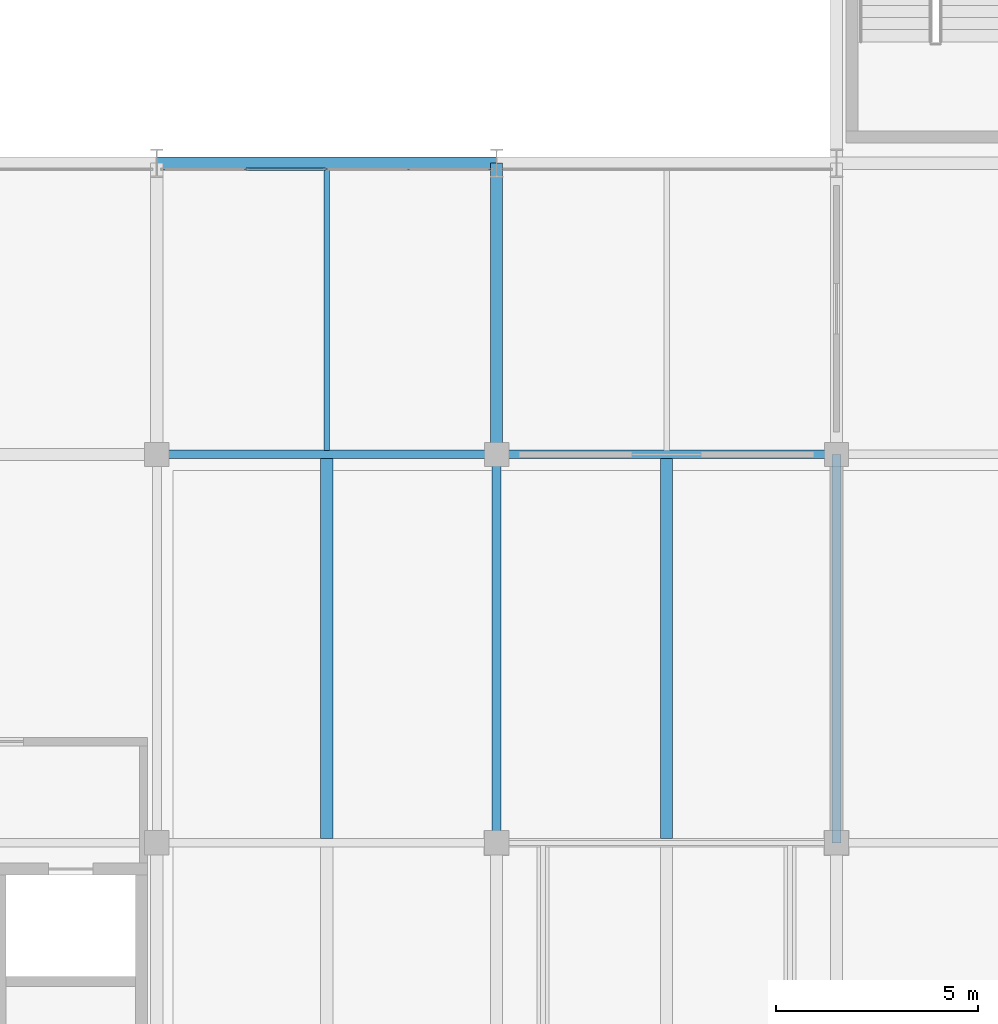
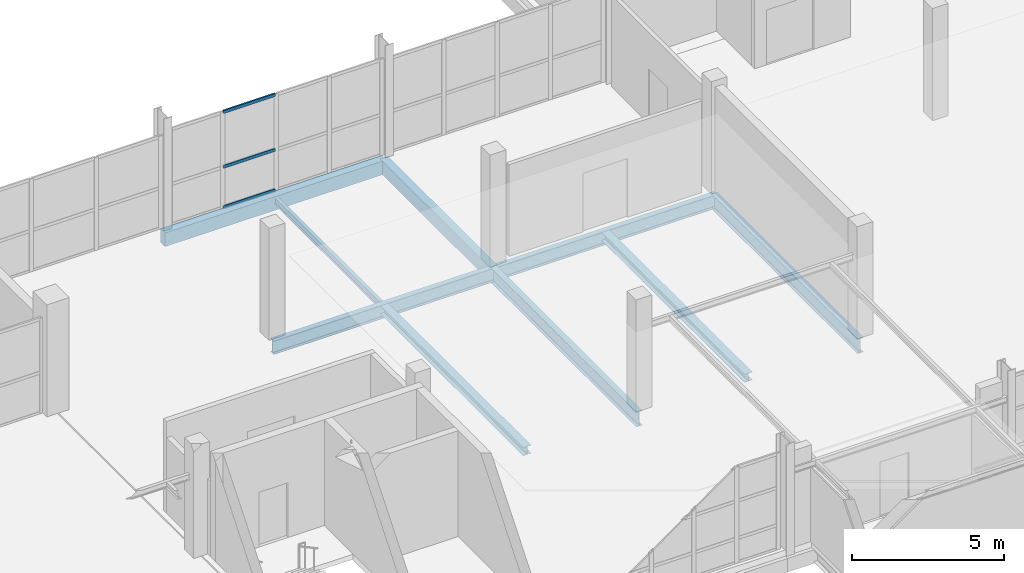
# One storey, part 40 of 113: 9 beams, 3 members, 1 element without a shape of its own.
"""IFC4 building model written with IfcOpenShell, lengths in metres."""

import ifcopenshell
import ifcopenshell.guid

model = None  # the IFC model being written
_history = None  # IfcOwnerHistory: only IFC2X3 demands one
_inside = {}  # id of a spatial element -> (the spatial element, [elements in it])
_under = {}  # id of a project, library or spatial element -> (it, [spatial elements below it])
_declared = {}  # id of a project -> (the project, [libraries it declares])
_typed = {}  # id of a type object -> (the type object, [elements of that type])
_made_of = {}  # id of a material, layer set ... -> (it, [elements and type objects made of it])


def new_model(schema):
    """Start an empty IFC model of exactly this schema.

    Asked for "IFC4X3", IfcOpenShell would pick the latest addendum, in which some entities
    have other attributes; the version numbers below select the first issue.
    IFC2X3 requires an IfcOwnerHistory on every rooted entity: one is made here for all.
    """
    global model, _history
    if schema == "IFC4X3":
        model = ifcopenshell.file(schema_version=(4, 3, 0, 0))
    else:
        model = ifcopenshell.file(schema=schema)
    _inside.clear()
    _under.clear()
    _declared.clear()
    _typed.clear()
    _made_of.clear()
    _history = None
    if model.schema == "IFC2X3":
        org = make("IfcOrganization", Name="unknown")
        user = make(
            "IfcPersonAndOrganization",
            ThePerson=make("IfcPerson", FamilyName="unknown"),
            TheOrganization=org,
        )
        app = make(
            "IfcApplication",
            ApplicationDeveloper=org,
            Version="unknown",
            ApplicationFullName="unknown",
            ApplicationIdentifier="unknown",
        )
        _history = make(
            "IfcOwnerHistory",
            OwningUser=user,
            OwningApplication=app,
            ChangeAction="ADDED",
            CreationDate=0,
        )
    return model


def make(cls, **values):
    """One entity of the class cls with the attributes given. An attribute that is None is left unset."""
    return model.create_entity(
        cls, **{name: value for name, value in values.items() if value is not None}
    )


def rooted(cls, **values):
    """An entity with a GlobalId (a new one), such as an element, a storey or a relation."""
    return make(cls, GlobalId=ifcopenshell.guid.new(), OwnerHistory=_history, **values)


def si_unit(unit_type, name, prefix=None):
    """IfcSIUnit, for example si_unit("LENGTHUNIT", "METRE", prefix="MILLI")."""
    return make("IfcSIUnit", UnitType=unit_type, Prefix=prefix, Name=name)


def assignment(units):
    """IfcUnitAssignment: the units of a project."""
    return None if units is None else make("IfcUnitAssignment", Units=units)


def point(xyz):
    """IfcCartesianPoint."""
    return None if xyz is None else make("IfcCartesianPoint", Coordinates=xyz)


def direction(xyz):
    """IfcDirection."""
    return None if xyz is None else make("IfcDirection", DirectionRatios=xyz)


def frame(location, z_axis=None, x_axis=None):
    """IfcAxis2Placement3D, a coordinate frame: its origin and axes. An axis left out is left unset."""
    return make(
        "IfcAxis2Placement3D",
        Location=point(location),
        Axis=direction(z_axis),
        RefDirection=direction(x_axis),
    )


def frame_2d(location, x_axis=None):
    """IfcAxis2Placement2D, a coordinate frame in the plane: its origin and x axis."""
    return make(
        "IfcAxis2Placement2D", Location=point(location), RefDirection=direction(x_axis)
    )


def origin():
    """The frame at (0, 0, 0) with its axes left unset."""
    return frame((0.0, 0.0, 0.0))


def origin_2d():
    """The frame at (0, 0) in the plane with its x axis left unset."""
    return frame_2d((0.0, 0.0))


def place(relative_to, where):
    """IfcLocalPlacement: puts the frame where relative to a parent placement (None: the world)."""
    return make(
        "IfcLocalPlacement", PlacementRelTo=relative_to, RelativePlacement=where
    )


def context(
    kind, dimensions, precision=None, world=None, true_north=None, identifier=None
):
    """IfcGeometricRepresentationContext, for example the 3D "Model" context."""
    return make(
        "IfcGeometricRepresentationContext",
        ContextIdentifier=identifier,
        ContextType=kind,
        CoordinateSpaceDimension=dimensions,
        Precision=precision,
        WorldCoordinateSystem=world,
        TrueNorth=true_north,
    )


def subcontext(parent, identifier, kind, view, scale=None):
    """IfcGeometricRepresentationSubContext, for example "Body" below "Model"."""
    return make(
        "IfcGeometricRepresentationSubContext",
        ContextIdentifier=identifier,
        ContextType=kind,
        ParentContext=parent,
        TargetScale=scale,
        TargetView=view,
    )


def project(units=None, contexts=None):
    """IfcProject with its units and contexts."""
    return rooted(
        "IfcProject",
        Name="project",
        RepresentationContexts=contexts,
        UnitsInContext=assignment(units),
    )


def spatial(cls, under=None, at=None, **own):
    """A site, building, storey or space (cls), placed at a placement, below another one or the project."""
    s = rooted(cls, ObjectPlacement=at, **own)
    if under is not None:
        _under.setdefault(under.id(), (under, []))[1].append(s)
    return s


def profile(cls, at=None, kind="AREA", **sizes):
    """A parametric profile (cls). Its sizes go by their IFC names, for example OverallWidth=200.0."""
    return make(cls, ProfileType=kind, Position=at, **sizes)


def rectangle(**sizes):
    """IfcRectangleProfileDef."""
    return profile("IfcRectangleProfileDef", **sizes)


def hollow_rectangle(**sizes):
    """IfcRectangleHollowProfileDef."""
    return profile("IfcRectangleHollowProfileDef", **sizes)


def i_section(**sizes):
    """IfcIShapeProfileDef."""
    return profile("IfcIShapeProfileDef", **sizes)


def extrude(swept, where, along, depth):
    """IfcExtrudedAreaSolid: the profile swept, set in the frame where, extruded along a direction by depth."""
    return make(
        "IfcExtrudedAreaSolid",
        SweptArea=swept,
        Position=where,
        ExtrudedDirection=direction(along),
        Depth=depth,
    )


def shape(context_of_items, identifier, shape_type, items):
    """IfcShapeRepresentation: the items that make up one representation, for example the "Body"."""
    return make(
        "IfcShapeRepresentation",
        ContextOfItems=context_of_items,
        RepresentationIdentifier=identifier,
        RepresentationType=shape_type,
        Items=items,
    )


def material(Name=None, Category=None):
    """IfcMaterial."""
    return make("IfcMaterial", Name=Name, Category=Category)


def material_profile(
    of_material, cross_section, Name=None, Category=None, Priority=None
):
    """IfcMaterialProfile: a cross section and its material."""
    return make(
        "IfcMaterialProfile",
        Name=Name,
        Material=of_material,
        Profile=cross_section,
        Priority=Priority,
        Category=Category,
    )


def profile_set(profiles, Name=None, composite=None):
    """IfcMaterialProfileSet."""
    return make(
        "IfcMaterialProfileSet",
        Name=Name,
        MaterialProfiles=profiles,
        CompositeProfile=composite,
    )


def made_of(thing, what):
    """Note that an element or type object is made of a material, layer set ...; save() writes the relation."""
    if what is not None:
        _made_of.setdefault(what.id(), (what, []))[1].append(thing)
    return thing


def type_object(cls, material=None, **own):
    """A type object (cls), such as IfcWallType, which elements share."""
    return made_of(rooted(cls, **own), material)


def element(
    cls,
    number,
    at=None,
    inside=None,
    cuts=None,
    type_object=None,
    material=None,
    context=None,
    identifier="Body",
    shape_type=None,
    held_by="IfcProductDefinitionShape",
    body=None,
    shapes=None,
    **own,
):
    """One element of the class cls, such as IfcWall. Its Tag is "e" and its number.

    at: its placement. inside: the storey or other place that contains it. cuts: it is an
    opening in that element (IfcRelVoidsElement). A single representation is given by context,
    identifier, shape_type and body (its items); several are given by shapes. held_by: the class
    of the entity that holds the representations. save() writes the other relations.
    """
    e = rooted(cls, Tag="e%d" % number, ObjectPlacement=at, **own)
    if body is not None:
        shapes = [shape(context, identifier, shape_type, body)]
    if shapes is not None:
        e.Representation = make(held_by, Representations=shapes)
    if inside is not None:
        _inside.setdefault(inside.id(), (inside, []))[1].append(e)
    if cuts is not None:
        rooted(
            "IfcRelVoidsElement", RelatingBuildingElement=cuts, RelatedOpeningElement=e
        )
    if type_object is not None:
        _typed.setdefault(type_object.id(), (type_object, []))[1].append(e)
    return made_of(e, material)


def aggregate(whole, parts):
    """IfcRelAggregates: a whole, such as a stair, and the parts it consists of."""
    return rooted("IfcRelAggregates", RelatingObject=whole, RelatedObjects=parts)


def save(model, path):
    """Write the relations noted so far, then the file.

    IfcRelAggregates (storeys below a building ...), IfcRelContainedInSpatialStructure (elements
    in a storey), IfcRelDefinesByType, IfcRelAssociatesMaterial and IfcRelDeclares: one each for
    every whole, place, type object, material and project.
    """
    for whole, parts in _under.values():
        aggregate(whole, parts)
    for where, things in _inside.values():
        rooted(
            "IfcRelContainedInSpatialStructure",
            RelatedElements=things,
            RelatingStructure=where,
        )
    for kind, things in _typed.values():
        rooted("IfcRelDefinesByType", RelatedObjects=things, RelatingType=kind)
    for what, things in _made_of.values():
        rooted("IfcRelAssociatesMaterial", RelatedObjects=things, RelatingMaterial=what)
    for by, libraries in _declared.values():
        rooted("IfcRelDeclares", RelatingContext=by, RelatedDefinitions=libraries)
    model.write(path)


model = new_model("IFC4")

# Units and contexts
model_context = context("Model", 3, precision=1e-05, world=origin(), true_north=direction((0.0, 1.0)))
body_context = subcontext(model_context, "Body", "Model", "MODEL_VIEW")
ifc_project = project(units=[si_unit("LENGTHUNIT", "METRE"), si_unit("AREAUNIT", "SQUARE_METRE"), si_unit("VOLUMEUNIT", "CUBIC_METRE"), si_unit("PLANEANGLEUNIT", "RADIAN"), si_unit("MASSUNIT", "GRAM", prefix="KILO")], contexts=[model_context])

# Site, building, storey
site_placement = place(None, origin())
site = spatial("IfcSite", under=ifc_project, at=site_placement, CompositionType="ELEMENT")
building_placement = place(site_placement, origin())
building = spatial("IfcBuilding", under=site, at=building_placement, Name="Veltarok Museum of Natural Sciences", CompositionType="ELEMENT")
storey_placement = place(building_placement, frame((0.0, 0.0, 8.39990234375)))
storey = spatial("IfcBuildingStorey", under=building, at=storey_placement, Name="L01", CompositionType="ELEMENT", Elevation=8.39990234375)

# Beams
ifc_material_1 = material(Name="Steel S355J2", Category="steel")
ifc_material_profile_1 = material_profile(ifc_material_1, i_section(OverallWidth=0.2099609375, OverallDepth=0.550048828125, WebThickness=0.010986328125, FlangeThickness=0.01708984375, FilletRadius=0.02392578125, at=origin_2d()), Name="IPE 550")
ifc_profile_set_1 = profile_set([ifc_material_profile_1], Name="Steel S355J2")
beam_type_1 = type_object("IfcBeamType", Name="Archive Heavy Girder IPE 550", PredefinedType="BEAM", material=ifc_profile_set_1)
for number, where, z_axis, x_axis, name in (
    (1, (115.60009765625, 19.199951171875, -0.52490234375), (1.0, 0.0, 0.0), (0.0, 1.0, 0.0), "Beam BM-G03 L01 14-15/C"),
    (2, (124.0, 19.199951171875, -0.52490234375), (1.0, 0.0, 0.0), (0.0, 1.0, 0.0), "Beam BM-G03 L01 15-16/C"),
):
    element("IfcBeam", number, at=place(storey_placement, frame(where, z_axis=z_axis, x_axis=x_axis)), inside=storey, type_object=beam_type_1, Name=name, PredefinedType="BEAM", context=body_context, shape_type="SweptSolid", body=[
        extrude(i_section(OverallWidth=0.2099609375, OverallDepth=0.550048828125, WebThickness=0.010986328125, FlangeThickness=0.01708984375, FilletRadius=0.02392578125, at=origin_2d()), origin(), (0.0, 0.0, 1.0), 8.39990234375),
    ])

# Curtain wall, members
ifc_material_2 = material(Name="Low-iron triple insulated glass", Category="glass")
curtain_wall_type = type_object("IfcCurtainWallType", Name="Curtain Wall System CW-V5CN-L01-0-810x388 (CW-V5CN L01 810x388cm)", PredefinedType="NOTDEFINED", material=ifc_material_2)
curtain_wall_placement = place(storey_placement, origin())
curtain_wall = element("IfcCurtainWall", 3, at=curtain_wall_placement, inside=storey, type_object=curtain_wall_type, Name="Curtain Wall CW-V5CN-L01-0-810x388 CW-0188", PredefinedType="NOTDEFINED")
ifc_material_3 = material(Name="Thermally broken anodised aluminium", Category="aluminium")
ifc_material_profile_2 = material_profile(ifc_material_3, hollow_rectangle(XDim=0.06005859375, YDim=0.1201171875, WallThickness=0.0048828125, at=origin_2d()), Name="CW TRANSOM 60x120x5")
ifc_profile_set_2 = profile_set([ifc_material_profile_2], Name="Thermally broken anodised aluminium")
member_type = type_object("IfcMemberType", Name="Curtain Wall Horizontal Transom 60x120x5", PredefinedType="USERDEFINED", material=ifc_profile_set_2)
member_1_placement = place(storey_placement, frame((119.77001953125, 26.25, 0.028076171875), z_axis=(-1.0, 0.0, 0.0), x_axis=(0.0, -1.0, 0.0)))
member_1 = element("IfcMember", 4, at=member_1_placement, type_object=member_type, Name="CW-V5CN-L01-0-810x388 transom 3.1", ObjectType="TRANSOM", PredefinedType="USERDEFINED", context=body_context, shape_type="SweptSolid", body=[
    extrude(hollow_rectangle(XDim=0.06005859375, YDim=0.1201171875, WallThickness=0.0048828125, at=origin_2d()), origin(), (0.0, 0.0, 1.0), 1.965087890625),
])
member_2_placement = place(storey_placement, frame((119.77001953125, 26.25, 1.648193359375), z_axis=(-1.0, 0.0, 0.0), x_axis=(0.0, -1.0, 0.0)))
member_2 = element("IfcMember", 5, at=member_2_placement, type_object=member_type, Name="CW-V5CN-L01-0-810x388 transom 3.2", ObjectType="TRANSOM", PredefinedType="USERDEFINED", context=body_context, shape_type="SweptSolid", body=[
    extrude(hollow_rectangle(XDim=0.06005859375, YDim=0.1201171875, WallThickness=0.0048828125, at=origin_2d()), origin(), (0.0, 0.0, 1.0), 1.965087890625),
])
member_3_placement = place(storey_placement, frame((119.77001953125, 26.25, 3.85009765625), z_axis=(-1.0, 0.0, 0.0), x_axis=(0.0, -1.0, 0.0)))
member_3 = element("IfcMember", 6, at=member_3_placement, type_object=member_type, Name="CW-V5CN-L01-0-810x388 transom 3.3", ObjectType="TRANSOM", PredefinedType="USERDEFINED", context=body_context, shape_type="SweptSolid", body=[
    extrude(hollow_rectangle(XDim=0.06005859375, YDim=0.1201171875, WallThickness=0.0048828125, at=origin_2d()), origin(), (0.0, 0.0, 1.0), 1.965087890625),
])
aggregate(curtain_wall, [member_1, member_2, member_3])

# Beams
ifc_material_4 = material(Name="Precast concrete C40/50", Category="concrete")
ifc_material_profile_3 = material_profile(ifc_material_4, rectangle(XDim=0.300048828125, YDim=0.550048828125, at=origin_2d()), Name="RC 300x550")
ifc_profile_set_3 = profile_set([ifc_material_profile_3], Name="Precast concrete C40/50")
beam_type_2 = type_object("IfcBeamType", Name="East Wing Precast Spandrel RC 300x550", PredefinedType="SPANDREL", material=ifc_profile_set_3)
beam_1_placement = place(storey_placement, frame((115.60009765625, 26.39990234375, -0.52490234375), z_axis=(1.0, 0.0, 0.0), x_axis=(0.0, 1.0, 0.0)))
element("IfcBeam", 7, at=beam_1_placement, inside=storey, type_object=beam_type_2, Name="Beam BM-SP02 L01 14-15/D", PredefinedType="SPANDREL", context=body_context, shape_type="SweptSolid", body=[
    extrude(rectangle(XDim=0.300048828125, YDim=0.550048828125, at=origin_2d()), origin(), (0.0, 0.0, 1.0), 8.39990234375),
])
beam_2_placement = place(storey_placement, frame((124.0, 19.199951171875, -0.52490234375), z_axis=(0.0, 1.0, 0.0), x_axis=(-1.0, 0.0, 0.0)))
element("IfcBeam", 8, at=beam_2_placement, inside=storey, type_object=beam_type_2, Name="Beam BM-SP02 L01 15/C-D", PredefinedType="SPANDREL", context=body_context, shape_type="SweptSolid", body=[
    extrude(rectangle(XDim=0.300048828125, YDim=0.550048828125, at=origin_2d()), origin(), (0.0, 0.0, 1.0), 7.199951171875),
])
ifc_material_profile_4 = material_profile(ifc_material_1, i_section(OverallWidth=0.300048828125, OverallDepth=0.330078125, WebThickness=0.009521484375, FlangeThickness=0.0166015625, FilletRadius=0.027099609375, at=origin_2d()), Name="HEA 340")
ifc_profile_set_4 = profile_set([ifc_material_profile_4], Name="Steel S355J2")
beam_type_3 = type_object("IfcBeamType", Name="Exhibition Floor Joist HEA 340", PredefinedType="JOIST", material=ifc_profile_set_4)
for number, where, z_axis, x_axis, name in (
    (9, (119.800048828125, 9.702880859375, -0.414794921875), (0.0, 1.0, 0.0), (-1.0, 0.0, 0.0), "Secondary Joist BM-J08 L01 14-15/B-C.1"),
    (10, (128.199951171875, 9.702880859375, -0.414794921875), (0.0, 1.0, 0.0), (-1.0, 0.0, 0.0), "Secondary Joist BM-J08 L01 15-16/B-C.1"),
):
    element("IfcBeam", number, at=place(storey_placement, frame(where, z_axis=z_axis, x_axis=x_axis)), inside=storey, type_object=beam_type_3, Name=name, PredefinedType="JOIST", context=body_context, shape_type="SweptSolid", body=[
        extrude(i_section(OverallWidth=0.300048828125, OverallDepth=0.330078125, WebThickness=0.009521484375, FlangeThickness=0.0166015625, FilletRadius=0.027099609375, at=origin_2d()), origin(), (0.0, 0.0, 1.0), 9.39404296875),
    ])
ifc_material_profile_5 = material_profile(ifc_material_1, i_section(OverallWidth=0.219970703125, OverallDepth=0.60009765625, WebThickness=0.011962890625, FlangeThickness=0.01904296875, FilletRadius=0.02392578125, at=origin_2d()), Name="IPE 600")
ifc_profile_set_5 = profile_set([ifc_material_profile_5], Name="Steel S355J2")
beam_type_4 = type_object("IfcBeamType", Name="Primary Museum Girder IPE 600", PredefinedType="BEAM", material=ifc_profile_set_5)
for number, where, z_axis, x_axis, name in (
    (11, (124.0, 9.60009765625, -0.5498046875), (0.0, 1.0, 0.0), (-1.0, 0.0, 0.0), "Beam BM-G02 L01 15/B-C"),
    (12, (132.39990234375, 9.60009765625, -0.5498046875), (0.0, 1.0, 0.0), (-1.0, 0.0, 0.0), "Beam BM-G02 L01 16/B-C"),
):
    element("IfcBeam", number, at=place(storey_placement, frame(where, z_axis=z_axis, x_axis=x_axis)), inside=storey, type_object=beam_type_4, Name=name, PredefinedType="BEAM", context=body_context, shape_type="SweptSolid", body=[
        extrude(i_section(OverallWidth=0.219970703125, OverallDepth=0.60009765625, WebThickness=0.011962890625, FlangeThickness=0.01904296875, FilletRadius=0.02392578125, at=origin_2d()), origin(), (0.0, 0.0, 1.0), 9.599853515625),
    ])
ifc_material_profile_6 = material_profile(ifc_material_1, i_section(OverallWidth=0.135009765625, OverallDepth=0.27001953125, WebThickness=0.006591796875, FlangeThickness=0.01025390625, FilletRadius=0.014892578125, at=origin_2d()), Name="IPE 270")
ifc_profile_set_6 = profile_set([ifc_material_profile_6], Name="Steel S355J2")
beam_type_5 = type_object("IfcBeamType", Name="Short-Bay Composite Joist IPE 270", PredefinedType="JOIST", material=ifc_profile_set_6)
beam_3_placement = place(storey_placement, frame((119.800048828125, 19.302978515625, -0.385009765625), z_axis=(0.0, 1.0, 0.0), x_axis=(-1.0, 0.0, 0.0)))
element("IfcBeam", 13, at=beam_3_placement, inside=storey, type_object=beam_type_5, Name="Secondary Joist BM-J04 L01 14-15/C-D.1", PredefinedType="JOIST", context=body_context, shape_type="SweptSolid", body=[
    extrude(i_section(OverallWidth=0.135009765625, OverallDepth=0.27001953125, WebThickness=0.006591796875, FlangeThickness=0.01025390625, FilletRadius=0.014892578125, at=origin_2d()), origin(), (0.0, 0.0, 1.0), 6.948974609375),
])

save(model, "model.ifc")
